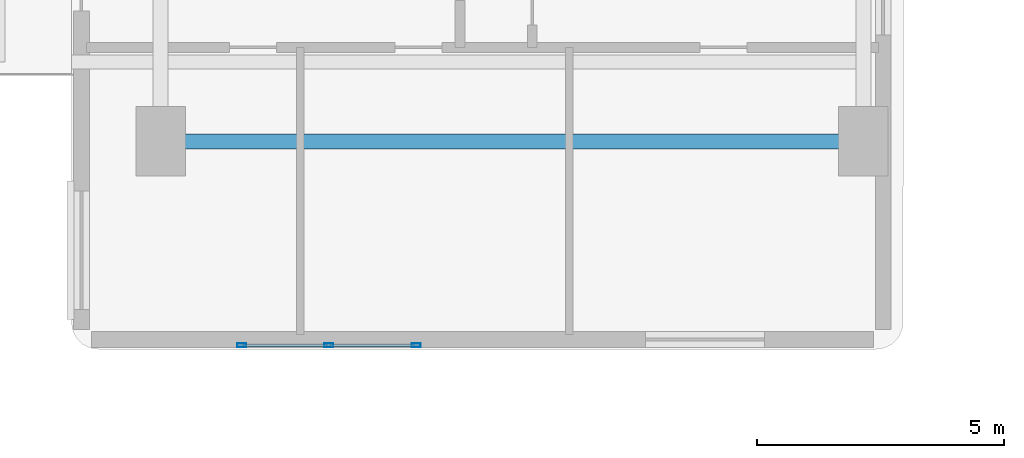
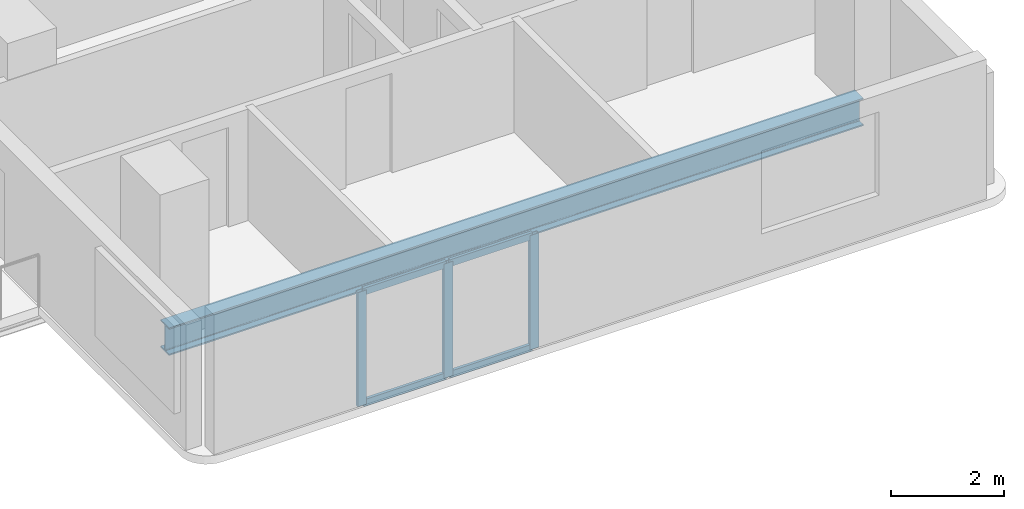
# One storey, part 2 of 18: 7 members, 1 beam, 1 element without a shape of its own.
"""IFC4 building model written with IfcOpenShell, lengths in metres."""

from ifc_helpers import new_model, si_unit, direction, frame, origin, origin_2d, place, context, subcontext, project, spatial, hollow_rectangle, i_section, extrude, material, material_profile, profile_set, type_object, element, aggregate, save


model = new_model("IFC4")

# Units and contexts
model_context = context("Model", 3, precision=1e-05, world=origin(), true_north=direction((0.0, 1.0)))
body_context = subcontext(model_context, "Body", "Model", "MODEL_VIEW")
ifc_project = project(units=[si_unit("LENGTHUNIT", "METRE"), si_unit("AREAUNIT", "SQUARE_METRE"), si_unit("VOLUMEUNIT", "CUBIC_METRE"), si_unit("PLANEANGLEUNIT", "RADIAN"), si_unit("MASSUNIT", "GRAM", prefix="KILO")], contexts=[model_context])

# Site, building, storey
site_placement = place(None, origin())
site = spatial("IfcSite", under=ifc_project, at=site_placement, CompositionType="ELEMENT")
building_placement = place(site_placement, origin())
building = spatial("IfcBuilding", under=site, at=building_placement, Name="Kuzgunbayir Cultural Tower", CompositionType="ELEMENT")
storey_placement = place(building_placement, frame((0.0, 0.0, 53.199951171875)))
storey = spatial("IfcBuildingStorey", under=building, at=storey_placement, Name="L14", CompositionType="ELEMENT", Elevation=53.199951171875)

# Beam
ifc_material_1 = material(Name="Steel S355J2", Category="steel")
ifc_material_profile_1 = material_profile(ifc_material_1, i_section(OverallWidth=0.300048828125, OverallDepth=0.60009765625, WebThickness=0.015380859375, FlangeThickness=0.030029296875, FilletRadius=0.027099609375, at=origin_2d()), Name="HEB 600")
ifc_profile_set_1 = profile_set([ifc_material_profile_1], Name="Steel S355J2")
beam_type = type_object("IfcBeamType", Name="BM-GIR-HEB600", PredefinedType="BEAM", material=ifc_profile_set_1)
beam_placement = place(storey_placement, frame((5.39990234375, 12.60009765625, -0.47998046875), z_axis=(1.0, 0.0, 0.0), x_axis=(0.0, 1.0, 0.0)))
element("IfcBeam", 1, at=beam_placement, inside=storey, type_object=beam_type, Name="L14 Wing A Transverse Girder 1", PredefinedType="BEAM", context=body_context, shape_type="SweptSolid", body=[
    extrude(i_section(OverallWidth=0.300048828125, OverallDepth=0.60009765625, WebThickness=0.015380859375, FlangeThickness=0.030029296875, FilletRadius=0.027099609375, at=origin_2d()), origin(), (0.0, 0.0, 1.0), 14.2001953125),
])

# Curtain wall, members
ifc_material_2 = material(Name="Anodised Aluminium Framing", Category="aluminium")
curtain_wall_type = type_object("IfcCurtainWallType", Name="CW03-T1-OFFICE", PredefinedType="NOTDEFINED", material=ifc_material_2)
curtain_wall_placement = place(storey_placement, origin())
curtain_wall = element("IfcCurtainWall", 2, at=curtain_wall_placement, inside=storey, type_object=curtain_wall_type, Name="L14 Wing A South Feature Curtain Wall", PredefinedType="NOTDEFINED")
ifc_material_profile_2 = material_profile(ifc_material_2, hollow_rectangle(XDim=0.074951171875, YDim=0.179931640625, WallThickness=0.0048828125, at=origin_2d()), Name="RHS 180x75x5")
ifc_profile_set_2 = profile_set([ifc_material_profile_2], Name="Anodised Aluminium Framing")
member_type_1 = type_object("IfcMemberType", Name="MEM-CW-MULLION-180", PredefinedType="MULLION", material=ifc_profile_set_2)
member_1_placement = place(storey_placement, frame((7.03759765625, 8.47998046875, 0.0), z_axis=(0.0, 0.0, 1.0), x_axis=(0.0, 1.0, 0.0)))
member_1 = element("IfcMember", 3, at=member_1_placement, type_object=member_type_1, Name="CW03 mullion 1", PredefinedType="MULLION", context=body_context, shape_type="SweptSolid", body=[
    extrude(hollow_rectangle(XDim=0.074951171875, YDim=0.179931640625, WallThickness=0.0048828125, at=origin_2d()), origin(), (0.0, 0.0, 1.0), 2.469970703125),
])
member_2_placement = place(storey_placement, frame((8.800048828125, 8.47998046875, 0.0), z_axis=(0.0, 0.0, 1.0), x_axis=(0.0, 1.0, 0.0)))
member_2 = element("IfcMember", 4, at=member_2_placement, type_object=member_type_1, Name="CW03 mullion 2", PredefinedType="MULLION", context=body_context, shape_type="SweptSolid", body=[
    extrude(hollow_rectangle(XDim=0.074951171875, YDim=0.179931640625, WallThickness=0.0048828125, at=origin_2d()), origin(), (0.0, 0.0, 1.0), 2.469970703125),
])
member_3_placement = place(storey_placement, frame((10.5625, 8.47998046875, 0.0), z_axis=(0.0, 0.0, 1.0), x_axis=(0.0, 1.0, 0.0)))
member_3 = element("IfcMember", 5, at=member_3_placement, type_object=member_type_1, Name="CW03 mullion 3", PredefinedType="MULLION", context=body_context, shape_type="SweptSolid", body=[
    extrude(hollow_rectangle(XDim=0.074951171875, YDim=0.179931640625, WallThickness=0.0048828125, at=origin_2d()), origin(), (0.0, 0.0, 1.0), 2.469970703125),
])
ifc_material_profile_3 = material_profile(ifc_material_2, hollow_rectangle(XDim=0.06005859375, YDim=0.14990234375, WallThickness=0.00390625, at=origin_2d()), Name="RHS 150x60x4")
ifc_profile_set_3 = profile_set([ifc_material_profile_3], Name="Anodised Aluminium Framing")
member_type_2 = type_object("IfcMemberType", Name="MEM-CW-TRANSOM-150", PredefinedType="USERDEFINED", material=ifc_profile_set_3)
member_4_placement = place(storey_placement, frame((7.074951171875, 8.47998046875, 0.030029296875), z_axis=(1.0, 0.0, 0.0), x_axis=(0.0, 1.0, 0.0)))
member_4 = element("IfcMember", 6, at=member_4_placement, type_object=member_type_2, Name="CW03 transom 1.1", ObjectType="TRANSOM", PredefinedType="USERDEFINED", context=body_context, shape_type="SweptSolid", body=[
    extrude(hollow_rectangle(XDim=0.06005859375, YDim=0.14990234375, WallThickness=0.00390625, at=origin_2d()), origin(), (0.0, 0.0, 1.0), 1.6875),
])
member_5_placement = place(storey_placement, frame((7.074951171875, 8.47998046875, 2.43994140625), z_axis=(1.0, 0.0, 0.0), x_axis=(0.0, 1.0, 0.0)))
member_5 = element("IfcMember", 7, at=member_5_placement, type_object=member_type_2, Name="CW03 transom 1.2", ObjectType="TRANSOM", PredefinedType="USERDEFINED", context=body_context, shape_type="SweptSolid", body=[
    extrude(hollow_rectangle(XDim=0.06005859375, YDim=0.14990234375, WallThickness=0.00390625, at=origin_2d()), origin(), (0.0, 0.0, 1.0), 1.6875),
])
member_6_placement = place(storey_placement, frame((8.83740234375, 8.47998046875, 0.030029296875), z_axis=(1.0, 0.0, 0.0), x_axis=(0.0, 1.0, 0.0)))
member_6 = element("IfcMember", 8, at=member_6_placement, type_object=member_type_2, Name="CW03 transom 2.1", ObjectType="TRANSOM", PredefinedType="USERDEFINED", context=body_context, shape_type="SweptSolid", body=[
    extrude(hollow_rectangle(XDim=0.06005859375, YDim=0.14990234375, WallThickness=0.00390625, at=origin_2d()), origin(), (0.0, 0.0, 1.0), 1.6875),
])
member_7_placement = place(storey_placement, frame((8.83740234375, 8.47998046875, 2.43994140625), z_axis=(1.0, 0.0, 0.0), x_axis=(0.0, 1.0, 0.0)))
member_7 = element("IfcMember", 9, at=member_7_placement, type_object=member_type_2, Name="CW03 transom 2.2", ObjectType="TRANSOM", PredefinedType="USERDEFINED", context=body_context, shape_type="SweptSolid", body=[
    extrude(hollow_rectangle(XDim=0.06005859375, YDim=0.14990234375, WallThickness=0.00390625, at=origin_2d()), origin(), (0.0, 0.0, 1.0), 1.6875),
])
aggregate(curtain_wall, [member_1, member_2, member_3, member_4, member_5, member_6, member_7])

save(model, "model.ifc")
